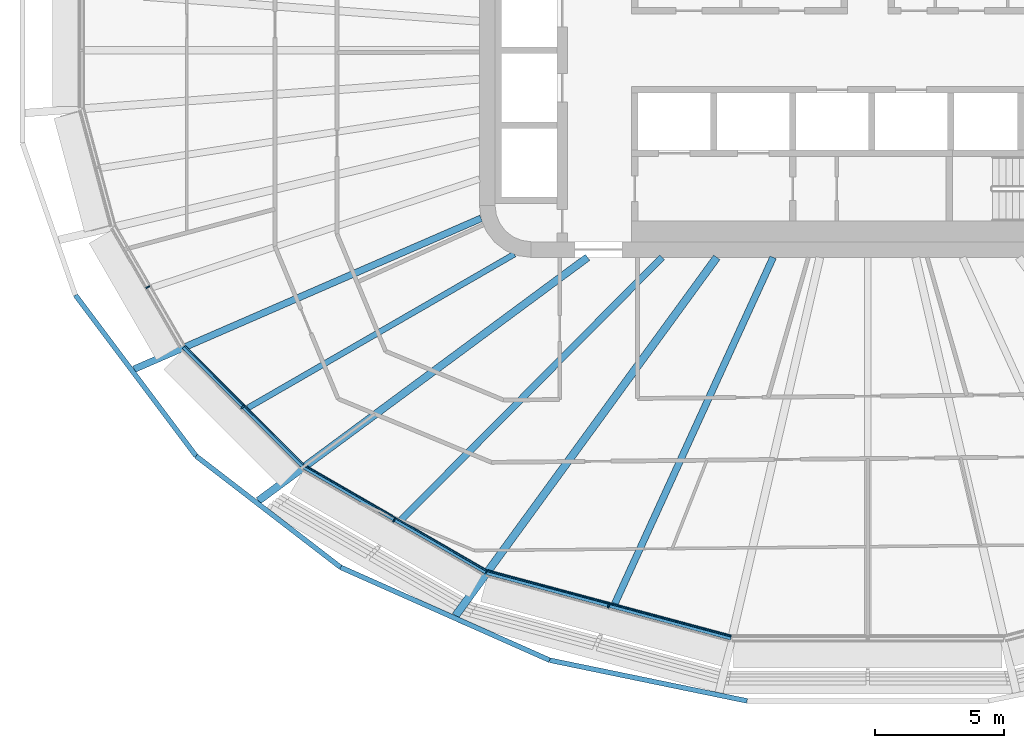
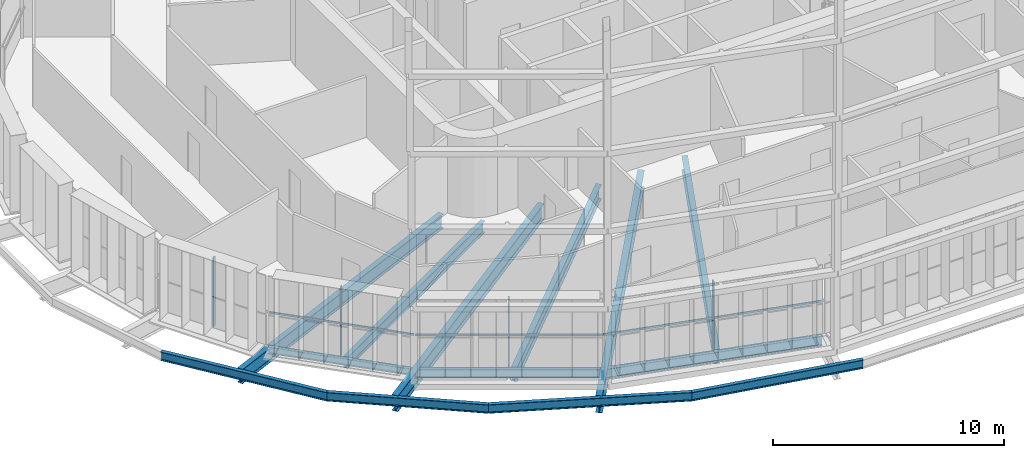
# One storey, part 1 of 23: 13 beams, 7 members, 4 elements without a shape of their own.
"""IFC4 building model written with IfcOpenShell, lengths in metres."""

from ifc_helpers import new_model, si_unit, direction, frame, origin, origin_2d, place, context, subcontext, project, spatial, rectangle, i_section, extrude, material, layer, layer_set, material_profile, profile_set, type_object, element, aggregate, save


model = new_model("IFC4")

# Units and contexts
model_context = context("Model", 3, precision=1e-05, world=origin(), true_north=direction((0.0, 1.0)))
body_context = subcontext(model_context, "Body", "Model", "MODEL_VIEW")
ifc_project = project(units=[si_unit("LENGTHUNIT", "METRE"), si_unit("AREAUNIT", "SQUARE_METRE"), si_unit("VOLUMEUNIT", "CUBIC_METRE"), si_unit("PLANEANGLEUNIT", "RADIAN"), si_unit("MASSUNIT", "GRAM", prefix="KILO")], contexts=[model_context])

# Site, building, storey
site_placement = place(None, origin())
site = spatial("IfcSite", under=ifc_project, at=site_placement, CompositionType="ELEMENT")
building_placement = place(site_placement, origin())
building = spatial("IfcBuilding", under=site, at=building_placement, Name="Sahrelin Media Tower", CompositionType="ELEMENT")
storey_placement = place(building_placement, frame((0.0, 0.0, 54.60009765625)))
storey = spatial("IfcBuildingStorey", under=building, at=storey_placement, Name="L08", CompositionType="ELEMENT", Elevation=54.60009765625)

# Beams
ifc_material_1 = material(Name="Steel S355", Category="steel")
ifc_material_profile_1 = material_profile(ifc_material_1, i_section(OverallWidth=0.17138671875, OverallDepth=0.35498046875, WebThickness=0.00732421875, FlangeThickness=0.011474609375, FilletRadius=0.01025390625, at=origin_2d()), Name="UB 356x171x51")
ifc_profile_set_1 = profile_set([ifc_material_profile_1], Name="Steel S355")
beam_type_1 = type_object("IfcBeamType", Name="Edge beam EB3", PredefinedType="BEAM", material=ifc_profile_set_1)
beam_1_placement = place(storey_placement, frame((-21.812255859375, -16.055419921875, -0.32763671875), z_axis=(-0.707106781187, 0.707106781187, 0.0), x_axis=(-0.707106781187, -0.707106781187, 0.0)))
element("IfcBeam", 1, at=beam_1_placement, inside=storey, type_object=beam_type_1, Name="Edge beam L08-10", PredefinedType="BEAM", context=body_context, shape_type="SweptSolid", body=[
    extrude(i_section(OverallWidth=0.17138671875, OverallDepth=0.35498046875, WebThickness=0.00732421875, FlangeThickness=0.011474609375, FilletRadius=0.01025390625, at=origin_2d()), origin(), (0.0, 0.0, 1.0), 6.505126953125),
])
ifc_material_profile_2 = material_profile(ifc_material_1, i_section(OverallWidth=0.1904296875, OverallDepth=0.45703125, WebThickness=0.009033203125, FlangeThickness=0.014404296875, FilletRadius=0.01025390625, at=origin_2d()), Name="UB 457x191x74")
ifc_profile_set_2 = profile_set([ifc_material_profile_2], Name="Steel S355")
beam_type_2 = type_object("IfcBeamType", Name="Edge beam EB5", PredefinedType="BEAM", material=ifc_profile_set_2)
beam_2_placement = place(storey_placement, frame((-14.744873046875, -20.139892578125, -0.378662109375), z_axis=(-0.866023644935, 0.500003046405, 0.0), x_axis=(-0.500003046405, -0.866023644935, 0.0)))
element("IfcBeam", 2, at=beam_2_placement, inside=storey, type_object=beam_type_2, Name="Edge beam L08-09", PredefinedType="BEAM", context=body_context, shape_type="SweptSolid", body=[
    extrude(i_section(OverallWidth=0.1904296875, OverallDepth=0.45703125, WebThickness=0.009033203125, FlangeThickness=0.014404296875, FilletRadius=0.01025390625, at=origin_2d()), origin(), (0.0, 0.0, 1.0), 8.13427734375),
])
ifc_material_profile_3 = material_profile(ifc_material_1, i_section(OverallWidth=0.208740234375, OverallDepth=0.5283203125, WebThickness=0.009521484375, FlangeThickness=0.01318359375, FilletRadius=0.0126953125, at=origin_2d()), Name="UB 533x210x82")
ifc_profile_set_3 = profile_set([ifc_material_profile_3], Name="Steel S355")
beam_type_3 = type_object("IfcBeamType", Name="Edge beam EB6", PredefinedType="BEAM", material=ifc_profile_set_3)
beam_3_placement = place(storey_placement, frame((-5.279296875, -22.68017578125, -0.414306640625), z_axis=(-0.965922401416, 0.258831826565, 0.0), x_axis=(-0.258831826565, -0.965922401416, 0.0)))
element("IfcBeam", 3, at=beam_3_placement, inside=storey, type_object=beam_type_3, Name="Edge beam L08-08", PredefinedType="BEAM", context=body_context, shape_type="SweptSolid", body=[
    extrude(i_section(OverallWidth=0.208740234375, OverallDepth=0.5283203125, WebThickness=0.009521484375, FlangeThickness=0.01318359375, FilletRadius=0.0126953125, at=origin_2d()), origin(), (0.0, 0.0, 1.0), 9.77197265625),
])

# Curtain wall, member
ifc_material_2 = material(Name="Champagne anodised aluminium 6063-T6", Category="aluminium")
ifc_layer = layer(ifc_material_2, 0.14990234375)
ifc_layer_set = layer_set([ifc_layer], Name="Tower ribbon curtain wall")
curtain_wall_type = type_object("IfcCurtainWallType", Name="Tower ribbon curtain wall", PredefinedType="NOTDEFINED", material=ifc_layer_set)
curtain_wall_1_placement = place(storey_placement, frame((-27.893798828125, -9.196533203125, 0.0), z_axis=(0.0, 0.0, 1.0), x_axis=(1.0, 0.0, 0.0)))
curtain_wall_1 = element("IfcCurtainWall", 4, at=curtain_wall_1_placement, inside=storey, type_object=curtain_wall_type, Name="L08:CW:L08-14", PredefinedType="NOTDEFINED")
ifc_material_profile_4 = material_profile(ifc_material_2, rectangle(XDim=0.06005859375, YDim=0.14990234375, at=origin_2d()), Name="Mullion 60x150")
ifc_profile_set_4 = profile_set([ifc_material_profile_4], Name="Champagne anodised aluminium 6063-T6")
member_type_1 = type_object("IfcMemberType", Name="Mullion 60x150 CW1", PredefinedType="MULLION", material=ifc_profile_set_4)
member_1_placement = place(storey_placement, frame((-27.811279296875, -9.149169921875, 0.0), z_axis=(0.0, 0.0, 1.0), x_axis=(0.499990930976, -0.866030639725, 0.0)))
member_1 = element("IfcMember", 5, at=member_1_placement, type_object=member_type_1, Name="L08:CWM:L08-14", PredefinedType="MULLION", context=body_context, shape_type="SweptSolid", body=[
    extrude(rectangle(XDim=0.06005859375, YDim=0.14990234375, at=origin_2d()), origin(), (0.0, 0.0, 1.0), 3.6484375),
])
aggregate(curtain_wall_1, [member_1])

curtain_wall_2_placement = place(storey_placement, frame((-24.218017578125, -13.861328125, 0.0), z_axis=(0.0, 0.0, 1.0), x_axis=(1.0, 0.0, 0.0)))
curtain_wall_2 = element("IfcCurtainWall", 6, at=curtain_wall_2_placement, inside=storey, type_object=curtain_wall_type, Name="L08:CW:L08-15", PredefinedType="NOTDEFINED")
member_2_placement = place(storey_placement, frame((-24.15087890625, -13.794189453125, 0.0), z_axis=(0.0, 0.0, 1.0), x_axis=(0.707106781187, -0.707106781187, 0.0)))
member_2 = element("IfcMember", 7, at=member_2_placement, type_object=member_type_1, Name="L08:CWM:L08-15", PredefinedType="MULLION", context=body_context, shape_type="SweptSolid", body=[
    extrude(rectangle(XDim=0.06005859375, YDim=0.14990234375, at=origin_2d()), origin(), (0.0, 0.0, 1.0), 3.6484375),
])

curtain_wall_3_placement = place(storey_placement, frame((-18.342041015625, -18.236328125, 0.0), z_axis=(0.0, 0.0, 1.0), x_axis=(1.0, 0.0, 0.0)))
curtain_wall_3 = element("IfcCurtainWall", 8, at=curtain_wall_3_placement, inside=storey, type_object=curtain_wall_type, Name="L08:CW:L08-16", PredefinedType="NOTDEFINED")
member_3_placement = place(storey_placement, frame((-18.294677734375, -18.154052734375, 0.0), z_axis=(0.0, 0.0, 1.0), x_axis=(0.866027149108, -0.499996976998, 0.0)))
member_3 = element("IfcMember", 9, at=member_3_placement, type_object=member_type_1, Name="L08:CWM:L08-16", PredefinedType="MULLION", context=body_context, shape_type="SweptSolid", body=[
    extrude(rectangle(XDim=0.06005859375, YDim=0.14990234375, at=origin_2d()), origin(), (0.0, 0.0, 1.0), 3.6484375),
])

curtain_wall_4_placement = place(storey_placement, frame((-10.03759765625, -21.560302734375, 0.0), z_axis=(0.0, 0.0, 1.0), x_axis=(1.0, 0.0, 0.0)))
curtain_wall_4 = element("IfcCurtainWall", 10, at=curtain_wall_4_placement, inside=storey, type_object=curtain_wall_type, Name="L08:CW:L08-17", PredefinedType="NOTDEFINED")
member_4_placement = place(storey_placement, frame((-10.012939453125, -21.46875, 0.0), z_axis=(0.0, 0.0, 1.0), x_axis=(0.965926278012, -0.258817359244, 0.0)))
member_4 = element("IfcMember", 11, at=member_4_placement, type_object=member_type_1, Name="L08:CWM:L08-17", PredefinedType="MULLION", context=body_context, shape_type="SweptSolid", body=[
    extrude(rectangle(XDim=0.06005859375, YDim=0.14990234375, at=origin_2d()), origin(), (0.0, 0.0, 1.0), 3.6484375),
])

# Beams
ifc_material_profile_5 = material_profile(ifc_material_1, i_section(OverallWidth=0.291748046875, OverallDepth=0.8349609375, WebThickness=0.013916015625, FlangeThickness=0.018798828125, FilletRadius=0.017822265625, at=origin_2d()), Name="UB 838x292x176")
ifc_profile_set_5 = profile_set([ifc_material_profile_5], Name="Steel S355")
beam_type_4 = type_object("IfcBeamType", Name="Radial primary beam PB10", PredefinedType="BEAM", material=ifc_profile_set_5)
beam_4_placement = place(storey_placement, frame((-10.821533203125, -8.0, -0.5673828125), z_axis=(-0.804124174179, -0.594461363337, 0.0), x_axis=(0.594461363337, -0.804124174179, 0.0)))
element("IfcBeam", 12, at=beam_4_placement, inside=storey, type_object=beam_type_4, Name="Radial beam L08-16", PredefinedType="BEAM", context=body_context, shape_type="SweptSolid", body=[
    extrude(i_section(OverallWidth=0.291748046875, OverallDepth=0.8349609375, WebThickness=0.013916015625, FlangeThickness=0.018798828125, FilletRadius=0.017822265625, at=origin_2d()), origin(), (0.0, 0.0, 1.0), 15.81787109375),
])
ifc_material_profile_6 = material_profile(ifc_material_1, i_section(OverallWidth=0.30322265625, OverallDepth=0.903076171875, WebThickness=0.01513671875, FlangeThickness=0.020263671875, FilletRadius=0.01904296875, at=origin_2d()), Name="UB 914x305x201")
ifc_profile_set_6 = profile_set([ifc_material_profile_6], Name="Steel S355")
beam_type_5 = type_object("IfcBeamType", Name="Radial primary beam PB11", PredefinedType="BEAM", material=ifc_profile_set_6)
beam_5_placement = place(storey_placement, frame((-5.832275390625, -8.0, -0.6015625), z_axis=(-0.589106230623, -0.808055597741, 0.0), x_axis=(0.808055597741, -0.589106230623, 0.0)))
element("IfcBeam", 13, at=beam_5_placement, inside=storey, type_object=beam_type_5, Name="Radial beam L08-17", PredefinedType="BEAM", context=body_context, shape_type="SweptSolid", body=[
    extrude(i_section(OverallWidth=0.30322265625, OverallDepth=0.903076171875, WebThickness=0.01513671875, FlangeThickness=0.020263671875, FilletRadius=0.01904296875, at=origin_2d()), origin(), (0.0, 0.0, 1.0), 17.126220703125),
])
ifc_material_profile_7 = material_profile(ifc_material_1, i_section(OverallWidth=0.26513671875, OverallDepth=0.75390625, WebThickness=0.0126953125, FlangeThickness=0.017578125, FilletRadius=0.0166015625, at=origin_2d()), Name="UB 762x267x147")
ifc_profile_set_7 = profile_set([ifc_material_profile_7], Name="Steel S355")
beam_type_6 = type_object("IfcBeamType", Name="Radial primary beam PB9", PredefinedType="BEAM", material=ifc_profile_set_7)
beam_6_placement = place(storey_placement, frame((-14.935302734375, -6.491943359375, -0.527099609375), z_axis=(-0.917108819055, -0.398636945115, 0.0), x_axis=(0.398636945115, -0.917108819055, 0.0)))
element("IfcBeam", 14, at=beam_6_placement, inside=storey, type_object=beam_type_6, Name="Radial beam L08-15", PredefinedType="BEAM", context=body_context, shape_type="SweptSolid", body=[
    extrude(i_section(OverallWidth=0.26513671875, OverallDepth=0.75390625, WebThickness=0.0126953125, FlangeThickness=0.017578125, FilletRadius=0.0166015625, at=origin_2d()), origin(), (0.0, 0.0, 1.0), 14.61767578125),
])
ifc_material_profile_8 = material_profile(ifc_material_1, i_section(OverallWidth=0.2275390625, OverallDepth=0.6025390625, WebThickness=0.010498046875, FlangeThickness=0.014892578125, FilletRadius=0.0126953125, at=origin_2d()), Name="UB 610x229x101")
ifc_profile_set_8 = profile_set([ifc_material_profile_8], Name="Steel S355")
beam_type_7 = type_object("IfcBeamType", Name="Radial secondary beam SB7", PredefinedType="BEAM", material=ifc_profile_set_8)
beam_7_placement = place(storey_placement, frame((-13.6513671875, -7.87646484375, -0.451416015625), z_axis=(-0.866166758016, -0.499755087325, 0.0), x_axis=(0.499755087325, -0.866166758016, 0.0)))
element("IfcBeam", 15, at=beam_7_placement, inside=storey, type_object=beam_type_7, Name="Secondary beam L08-15", PredefinedType="BEAM", context=body_context, shape_type="SweptSolid", body=[
    extrude(i_section(OverallWidth=0.2275390625, OverallDepth=0.6025390625, WebThickness=0.010498046875, FlangeThickness=0.014892578125, FilletRadius=0.0126953125, at=origin_2d()), origin(), (0.0, 0.0, 1.0), 11.87353515625),
])
ifc_material_profile_9 = material_profile(ifc_material_1, i_section(OverallWidth=0.26513671875, OverallDepth=0.75390625, WebThickness=0.0126953125, FlangeThickness=0.017578125, FilletRadius=0.0166015625, at=origin_2d()), Name="UB 762x267x147")
ifc_profile_set_9 = profile_set([ifc_material_profile_9], Name="Steel S355")
beam_type_8 = type_object("IfcBeamType", Name="Radial secondary beam SB9", PredefinedType="BEAM", material=ifc_profile_set_9)
beam_8_placement = place(storey_placement, frame((-7.947021484375, -8.0, -0.527099609375), z_axis=(-0.704754041549, -0.709451718527, 0.0), x_axis=(0.709451718527, -0.704754041549, 0.0)))
element("IfcBeam", 16, at=beam_8_placement, inside=storey, type_object=beam_type_8, Name="Secondary beam L08-16", PredefinedType="BEAM", context=body_context, shape_type="SweptSolid", body=[
    extrude(i_section(OverallWidth=0.26513671875, OverallDepth=0.75390625, WebThickness=0.0126953125, FlangeThickness=0.017578125, FilletRadius=0.0166015625, at=origin_2d()), origin(), (0.0, 0.0, 1.0), 14.2919921875),
])
beam_9_placement = place(storey_placement, frame((-3.656494140625, -8.0, -0.527099609375), z_axis=(-0.41567654801, -0.909512510873, 0.0), x_axis=(0.909512510873, -0.41567654801, 0.0)))
element("IfcBeam", 17, at=beam_9_placement, inside=storey, type_object=beam_type_8, Name="Secondary beam L08-17", PredefinedType="BEAM", context=body_context, shape_type="SweptSolid", body=[
    extrude(i_section(OverallWidth=0.26513671875, OverallDepth=0.75390625, WebThickness=0.0126953125, FlangeThickness=0.017578125, FilletRadius=0.0166015625, at=origin_2d()), origin(), (0.0, 0.0, 1.0), 14.69970703125),
])
ifc_material_profile_10 = material_profile(ifc_material_1, i_section(OverallWidth=0.1904296875, OverallDepth=0.45703125, WebThickness=0.009033203125, FlangeThickness=0.014404296875, FilletRadius=0.01025390625, at=origin_2d()), Name="UB 457x191x74")
ifc_profile_set_10 = profile_set([ifc_material_profile_10], Name="Steel S355")
beam_type_9 = type_object("IfcBeamType", Name="Tie chord TC5", PredefinedType="BEAM", material=ifc_profile_set_10)
beam_10_placement = place(storey_placement, frame((-30.607177734375, -9.456787109375, -0.378662109375), z_axis=(0.600040211361, -0.7999698399, 0.0), x_axis=(0.7999698399, 0.600040211361, 0.0)))
element("IfcBeam", 18, at=beam_10_placement, inside=storey, type_object=beam_type_9, Name="Tie chord L08-14", PredefinedType="BEAM", context=body_context, shape_type="SweptSolid", body=[
    extrude(i_section(OverallWidth=0.1904296875, OverallDepth=0.45703125, WebThickness=0.009033203125, FlangeThickness=0.014404296875, FilletRadius=0.01025390625, at=origin_2d()), origin(), (0.0, 0.0, 1.0), 7.771240234375),
])
beam_11_placement = place(storey_placement, frame((-25.944091796875, -15.673583984375, -0.378662109375), z_axis=(0.792453844902, -0.609931884475, 0.0), x_axis=(0.609931884475, 0.792453844902, 0.0)))
element("IfcBeam", 19, at=beam_11_placement, inside=storey, type_object=beam_type_9, Name="Tie chord L08-15", PredefinedType="BEAM", context=body_context, shape_type="SweptSolid", body=[
    extrude(i_section(OverallWidth=0.1904296875, OverallDepth=0.45703125, WebThickness=0.009033203125, FlangeThickness=0.014404296875, FilletRadius=0.01025390625, at=origin_2d()), origin(), (0.0, 0.0, 1.0), 7.04248046875),
])
beam_12_placement = place(storey_placement, frame((-20.36328125, -19.968994140625, -0.378662109375), z_axis=(0.913822939174, -0.406112836338, 0.0), x_axis=(0.406112836338, 0.913822939174, 0.0)))
element("IfcBeam", 20, at=beam_12_placement, inside=storey, type_object=beam_type_9, Name="Tie chord L08-16", PredefinedType="BEAM", context=body_context, shape_type="SweptSolid", body=[
    extrude(i_section(OverallWidth=0.1904296875, OverallDepth=0.45703125, WebThickness=0.009033203125, FlangeThickness=0.014404296875, FilletRadius=0.01025390625, at=origin_2d()), origin(), (0.0, 0.0, 1.0), 8.83837890625),
])
beam_13_placement = place(storey_placement, frame((-12.28662109375, -23.558349609375, -0.378662109375), z_axis=(0.979388114358, -0.201987428952, 0.0), x_axis=(0.201987428952, 0.979388114358, 0.0)))
element("IfcBeam", 21, at=beam_13_placement, inside=storey, type_object=beam_type_9, Name="Tie chord L08-17", PredefinedType="BEAM", context=body_context, shape_type="SweptSolid", body=[
    extrude(i_section(OverallWidth=0.1904296875, OverallDepth=0.45703125, WebThickness=0.009033203125, FlangeThickness=0.014404296875, FilletRadius=0.01025390625, at=origin_2d()), origin(), (0.0, 0.0, 1.0), 7.783935546875),
])

# Member
ifc_material_profile_11 = material_profile(ifc_material_2, rectangle(XDim=0.050048828125, YDim=0.10009765625, at=origin_2d()), Name="Transom 50x100")
ifc_profile_set_11 = profile_set([ifc_material_profile_11], Name="Champagne anodised aluminium 6063-T6")
member_type_2 = type_object("IfcMemberType", Name="Transom 50x100 CW1", PredefinedType="USERDEFINED", material=ifc_profile_set_11)
member_5_placement = place(storey_placement, frame((-26.369140625, -11.434814453125, 1.599853515625), z_axis=(0.707106781187, -0.707106781187, 0.0), x_axis=(0.707106781187, 0.707106781187, 0.0)))
member_5 = element("IfcMember", 22, at=member_5_placement, type_object=member_type_2, Name="L08:CWT:L08-15", ObjectType="TRANSOM", PredefinedType="USERDEFINED", context=body_context, shape_type="SweptSolid", body=[
    extrude(rectangle(XDim=0.050048828125, YDim=0.10009765625, at=origin_2d()), origin(), (0.0, 0.0, 1.0), 6.473876953125),
])

aggregate(curtain_wall_2, [member_2, member_5])

member_6_placement = place(storey_placement, frame((-21.753173828125, -16.041748046875, 1.599853515625), z_axis=(0.866035564294, -0.499982401068, 0.0), x_axis=(0.499982401068, 0.866035564294, 0.0)))
member_6 = element("IfcMember", 23, at=member_6_placement, type_object=member_type_2, Name="L08:CWT:L08-16", ObjectType="TRANSOM", PredefinedType="USERDEFINED", context=body_context, shape_type="SweptSolid", body=[
    extrude(rectangle(XDim=0.050048828125, YDim=0.10009765625, at=origin_2d()), origin(), (0.0, 0.0, 1.0), 8.102783203125),
])

aggregate(curtain_wall_3, [member_3, member_6])

member_7_placement = place(storey_placement, frame((-14.69140625, -20.111572265625, 1.599853515625), z_axis=(0.965927242268, -0.258813760539, 0.0), x_axis=(0.258813760539, 0.965927242268, 0.0)))
member_7 = element("IfcMember", 24, at=member_7_placement, type_object=member_type_2, Name="L08:CWT:L08-17", ObjectType="TRANSOM", PredefinedType="USERDEFINED", context=body_context, shape_type="SweptSolid", body=[
    extrude(rectangle(XDim=0.050048828125, YDim=0.10009765625, at=origin_2d()), origin(), (0.0, 0.0, 1.0), 9.740478515625),
])

aggregate(curtain_wall_4, [member_4, member_7])

save(model, "model.ifc")
